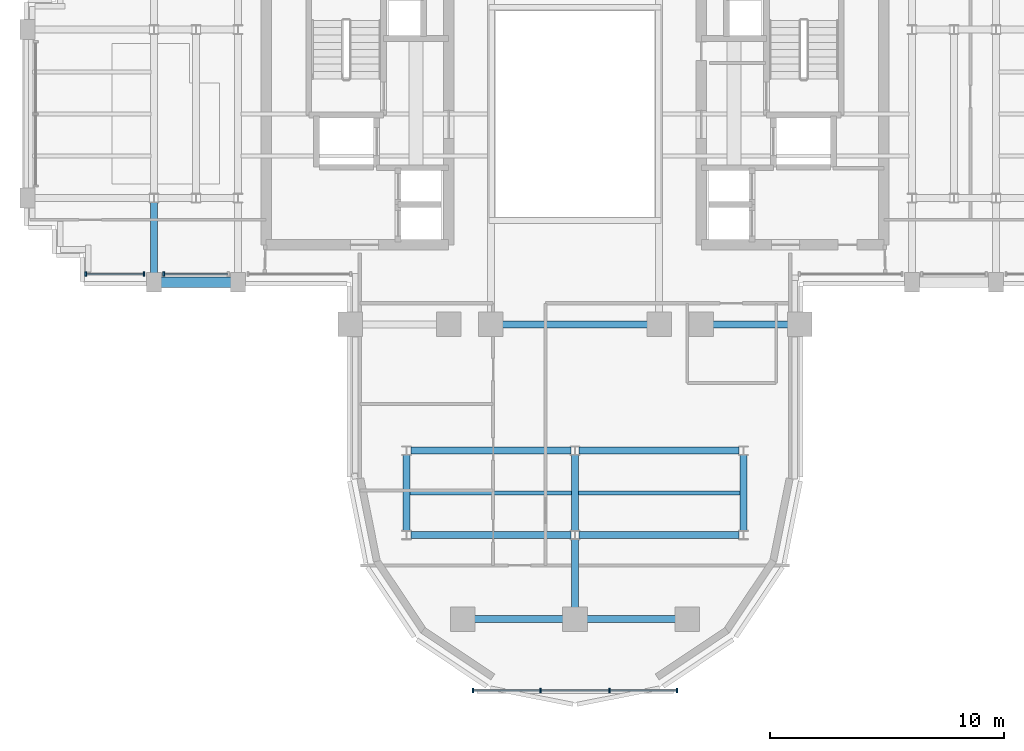
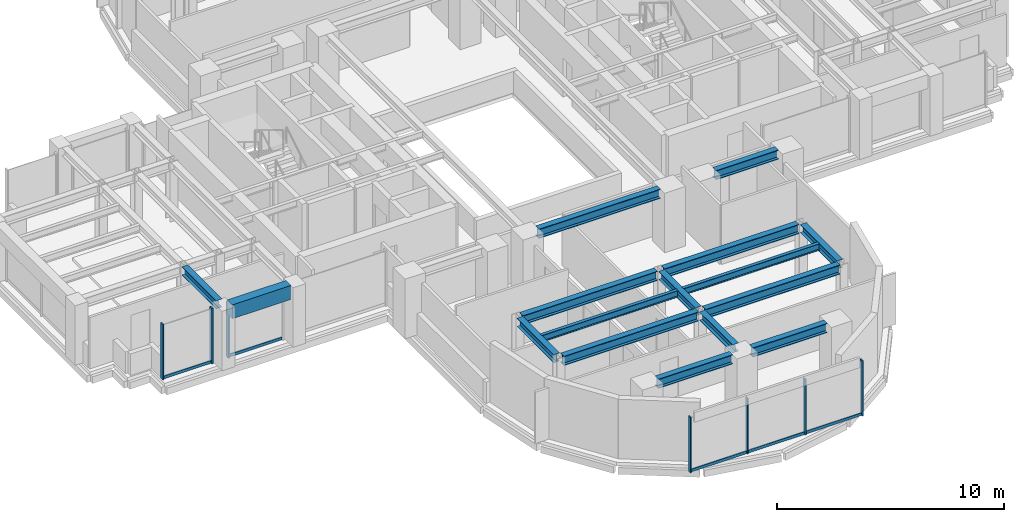
# One storey, part 3 of 13: 16 beams, 12 members, 3 elements without a shape of their own.
"""IFC4 building model written with IfcOpenShell, lengths in metres."""

from ifc_helpers import new_model, si_unit, direction, frame, origin, origin_2d, place, context, subcontext, project, spatial, rectangle, i_section, extrude, source, transform, mapped, material, material_profile, profile_set, type_object, element, aggregate, save


model = new_model("IFC4")

# Units and contexts
model_context = context("Model", 3, precision=1e-05, world=origin(), true_north=direction((0.0, 1.0)))
body_context = subcontext(model_context, "Body", "Model", "MODEL_VIEW")
ifc_project = project(units=[si_unit("LENGTHUNIT", "METRE"), si_unit("AREAUNIT", "SQUARE_METRE"), si_unit("VOLUMEUNIT", "CUBIC_METRE"), si_unit("PLANEANGLEUNIT", "RADIAN"), si_unit("MASSUNIT", "GRAM", prefix="KILO")], contexts=[model_context])

# Site, building, storey
site_placement = place(None, origin())
site = spatial("IfcSite", under=ifc_project, at=site_placement, CompositionType="ELEMENT")
building_placement = place(site_placement, origin())
building = spatial("IfcBuilding", under=site, at=building_placement, Name="Keilestroom Media Tower", CompositionType="ELEMENT")
storey_placement = place(building_placement, frame((0.0, 0.0, 131.199951171875)))
storey = spatial("IfcBuildingStorey", under=building, at=storey_placement, Name="L35", CompositionType="ELEMENT", Elevation=131.199951171875)

# Beams
ifc_material_1 = material(Name="Steel S355", Category="steel")
ifc_material_profile_1 = material_profile(ifc_material_1, i_section(OverallWidth=0.169921875, OverallDepth=0.360107421875, WebThickness=0.008056640625, FlangeThickness=0.0126953125, at=origin_2d()), Name="IPE 360")
ifc_profile_set_1 = profile_set([ifc_material_profile_1], Name="Steel S355")
beam_type_1 = type_object("IfcBeamType", Name="Secondary-Floor-Joist-IPE-360", PredefinedType="JOIST", material=ifc_profile_set_1)
shared_shape_1 = source(origin(), body_context, "Body", "SweptSolid", [
    extrude(i_section(OverallWidth=0.169921875, OverallDepth=0.360107421875, WebThickness=0.008056640625, FlangeThickness=0.0126953125, at=origin_2d()), origin(), (0.0, 0.0, 1.0), 6.940185546875),
])
for number, where, z_axis, x_axis, name in (
    (1, (-7.070068359375, -16.199951171875, 3.02001953125), (1.0, 0.0, 0.0), (0.0, 1.0, 0.0), "L35 Beam BJ-5 JST-L35-069"),
    (2, (0.1298828125, -16.199951171875, 3.02001953125), (1.0, 0.0, 0.0), (0.0, 1.0, 0.0), "L35 Beam BJ-5 JST-L35-070"),
):
    element("IfcBeam", number, at=place(storey_placement, frame(where, z_axis=z_axis, x_axis=x_axis)), inside=storey, type_object=beam_type_1, Name=name, PredefinedType="JOIST", context=body_context, shape_type="MappedRepresentation", body=[
        mapped(shared_shape_1, transform((0.0, 0.0, 0.0), x_axis=(1.0, 0.0, 0.0), y_axis=(0.0, 1.0, 0.0), z_axis=(0.0, 0.0, 1.0), scale=1.0)),
    ])
ifc_material_profile_2 = material_profile(ifc_material_1, i_section(OverallWidth=0.300048828125, OverallDepth=0.5, WebThickness=0.012451171875, FlangeThickness=0.028076171875, at=origin_2d()), Name="HEB 500")
ifc_profile_set_2 = profile_set([ifc_material_profile_2], Name="Steel S355")
beam_type_2 = type_object("IfcBeamType", Name="Primary-Structural-Girder-HEB-500", PredefinedType="BEAM", material=ifc_profile_set_2)
shared_shape_2 = source(origin(), body_context, "Body", "SweptSolid", [
    extrude(i_section(OverallWidth=0.300048828125, OverallDepth=0.5, WebThickness=0.012451171875, FlangeThickness=0.028076171875, at=origin_2d()), origin(), (0.0, 0.0, 1.0), 3.7900390625),
])
for number, where, z_axis, x_axis, name in (
    (3, (-4.294921875, -21.60009765625, 2.949951171875), (1.0, 0.0, 0.0), (0.0, 1.0, 0.0), "L35 Beam BG-6 BM-L35-EW-001"),
    (4, (0.5048828125, -21.60009765625, 2.949951171875), (1.0, 0.0, 0.0), (0.0, 1.0, 0.0), "L35 Beam BG-6 BM-L35-EW-002"),
):
    element("IfcBeam", number, at=place(storey_placement, frame(where, z_axis=z_axis, x_axis=x_axis)), inside=storey, type_object=beam_type_2, Name=name, PredefinedType="BEAM", context=body_context, shape_type="MappedRepresentation", body=[
        mapped(shared_shape_2, transform((0.0, 0.0, 0.0), x_axis=(1.0, 0.0, 0.0), y_axis=(0.0, 1.0, 0.0), z_axis=(0.0, 0.0, 1.0), scale=1.0)),
    ])
shared_shape_3 = source(origin(), body_context, "Body", "SweptSolid", [
    extrude(i_section(OverallWidth=0.300048828125, OverallDepth=0.5, WebThickness=0.012451171875, FlangeThickness=0.028076171875, at=origin_2d()), origin(), (0.0, 0.0, 1.0), 6.839111328125),
])
for number, where, z_axis, x_axis, name in (
    (5, (-7.01953125, -18.0, 2.949951171875), (1.0, 0.0, 0.0), (0.0, 1.0, 0.0), "L35 Beam BG-6 BM-L35-EW-003"),
    (6, (0.180419921875, -18.0, 2.949951171875), (1.0, 0.0, 0.0), (0.0, 1.0, 0.0), "L35 Beam BG-6 BM-L35-EW-004"),
    (7, (-7.01953125, -14.39990234375, 2.949951171875), (1.0, 0.0, 0.0), (0.0, 1.0, 0.0), "L35 Beam BG-6 BM-L35-EW-005"),
    (8, (0.180419921875, -14.39990234375, 2.949951171875), (1.0, 0.0, 0.0), (0.0, 1.0, 0.0), "L35 Beam BG-6 BM-L35-EW-006"),
):
    element("IfcBeam", number, at=place(storey_placement, frame(where, z_axis=z_axis, x_axis=x_axis)), inside=storey, type_object=beam_type_2, Name=name, PredefinedType="BEAM", context=body_context, shape_type="MappedRepresentation", body=[
        mapped(shared_shape_3, transform((0.0, 0.0, 0.0), x_axis=(1.0, 0.0, 0.0), y_axis=(0.0, 1.0, 0.0), z_axis=(0.0, 0.0, 1.0), scale=1.0)),
    ])
shared_shape_4 = source(origin(), body_context, "Body", "SweptSolid", [
    extrude(i_section(OverallWidth=0.300048828125, OverallDepth=0.5, WebThickness=0.012451171875, FlangeThickness=0.028076171875, at=origin_2d()), origin(), (0.0, 0.0, 1.0), 3.18994140625),
])
beam_1_placement = place(storey_placement, frame((5.905029296875, -9.0, 2.949951171875), z_axis=(1.0, 0.0, 0.0), x_axis=(0.0, 1.0, 0.0)))
element("IfcBeam", 9, at=beam_1_placement, inside=storey, type_object=beam_type_2, Name="L35 Beam BG-6 BM-L35-EW-011", PredefinedType="BEAM", context=body_context, shape_type="MappedRepresentation", body=[
    mapped(shared_shape_4, transform((0.0, 0.0, 0.0), x_axis=(1.0, 0.0, 0.0), y_axis=(0.0, 1.0, 0.0), z_axis=(0.0, 0.0, 1.0), scale=1.0)),
])
shared_shape_5 = source(origin(), body_context, "Body", "SweptSolid", [
    extrude(i_section(OverallWidth=0.300048828125, OverallDepth=0.5, WebThickness=0.012451171875, FlangeThickness=0.028076171875, at=origin_2d()), origin(), (0.0, 0.0, 1.0), 6.18994140625),
])
beam_2_placement = place(storey_placement, frame((-3.094970703125, -9.0, 2.949951171875), z_axis=(1.0, 0.0, 0.0), x_axis=(0.0, 1.0, 0.0)))
element("IfcBeam", 10, at=beam_2_placement, inside=storey, type_object=beam_type_2, Name="L35 Beam BG-6 BM-L35-EW-009", PredefinedType="BEAM", context=body_context, shape_type="MappedRepresentation", body=[
    mapped(shared_shape_5, transform((0.0, 0.0, 0.0), x_axis=(1.0, 0.0, 0.0), y_axis=(0.0, 1.0, 0.0), z_axis=(0.0, 0.0, 1.0), scale=1.0)),
])
ifc_material_2 = material(Name="Precast concrete C40/50", Category="concrete")
ifc_material_profile_3 = material_profile(ifc_material_2, rectangle(XDim=0.449951171875, YDim=0.75, at=origin_2d()), Name="PC 450x750")
ifc_profile_set_3 = profile_set([ifc_material_profile_3], Name="Precast concrete C40/50")
beam_type_3 = type_object("IfcBeamType", Name="Perimeter-Spandrel-Beam-PC-450x750", PredefinedType="SPANDREL", material=ifc_profile_set_3)
shared_shape_6 = source(origin(), body_context, "Body", "SweptSolid", [
    extrude(rectangle(XDim=0.449951171875, YDim=0.75, at=origin_2d()), origin(), (0.0, 0.0, 1.0), 2.989990234375),
])
beam_3_placement = place(storey_placement, frame((-17.695068359375, -7.199951171875, 2.824951171875), z_axis=(1.0, 0.0, 0.0), x_axis=(0.0, 1.0, 0.0)))
element("IfcBeam", 11, at=beam_3_placement, inside=storey, type_object=beam_type_3, Name="L35 Beam SPB-1 BM-L35-EW-012", PredefinedType="SPANDREL", context=body_context, shape_type="MappedRepresentation", body=[
    mapped(shared_shape_6, transform((0.0, 0.0, 0.0), x_axis=(1.0, 0.0, 0.0), y_axis=(0.0, 1.0, 0.0), z_axis=(0.0, 0.0, 1.0), scale=1.0)),
])
ifc_material_profile_4 = material_profile(ifc_material_1, i_section(OverallWidth=0.300048828125, OverallDepth=0.43994140625, WebThickness=0.011474609375, FlangeThickness=0.02099609375, at=origin_2d()), Name="HEA 450")
ifc_profile_set_4 = profile_set([ifc_material_profile_4], Name="Steel S355")
beam_type_4 = type_object("IfcBeamType", Name="Primary-Structural-Girder-HEA-450", PredefinedType="BEAM", material=ifc_profile_set_4)
shared_shape_7 = source(origin(), body_context, "Body", "SweptSolid", [
    extrude(i_section(OverallWidth=0.300048828125, OverallDepth=0.43994140625, WebThickness=0.011474609375, FlangeThickness=0.02099609375, at=origin_2d()), origin(), (0.0, 0.0, 1.0), 3.015380859375),
])
beam_4_placement = place(storey_placement, frame((-18.0, -6.794921875, 2.97998046875), z_axis=(0.0, 1.0, 0.0), x_axis=(-1.0, 0.0, 0.0)))
element("IfcBeam", 12, at=beam_4_placement, inside=storey, type_object=beam_type_4, Name="L35 Beam BG-11 BM-L35-NS-040", PredefinedType="BEAM", context=body_context, shape_type="MappedRepresentation", body=[
    mapped(shared_shape_7, transform((0.0, 0.0, 0.0), x_axis=(1.0, 0.0, 0.0), y_axis=(0.0, 1.0, 0.0), z_axis=(0.0, 0.0, 1.0), scale=1.0)),
])
shared_shape_8 = source(origin(), body_context, "Body", "SweptSolid", [
    extrude(i_section(OverallWidth=0.300048828125, OverallDepth=0.43994140625, WebThickness=0.011474609375, FlangeThickness=0.02099609375, at=origin_2d()), origin(), (0.0, 0.0, 1.0), 3.240966796875),
])
for number, where, z_axis, x_axis, name in (
    (13, (-7.199951171875, -17.820556640625, 2.97998046875), (0.0, 1.0, 0.0), (-1.0, 0.0, 0.0), "L35 Beam BG-11 BM-L35-NS-048"),
    (14, (0.0, -17.820556640625, 2.97998046875), (0.0, 1.0, 0.0), (-1.0, 0.0, 0.0), "L35 Beam BG-11 BM-L35-NS-053"),
    (15, (7.199951171875, -17.820556640625, 2.97998046875), (0.0, 1.0, 0.0), (-1.0, 0.0, 0.0), "L35 Beam BG-11 BM-L35-NS-058"),
):
    element("IfcBeam", number, at=place(storey_placement, frame(where, z_axis=z_axis, x_axis=x_axis)), inside=storey, type_object=beam_type_4, Name=name, PredefinedType="BEAM", context=body_context, shape_type="MappedRepresentation", body=[
        mapped(shared_shape_8, transform((0.0, 0.0, 0.0), x_axis=(1.0, 0.0, 0.0), y_axis=(0.0, 1.0, 0.0), z_axis=(0.0, 0.0, 1.0), scale=1.0)),
    ])
shared_shape_9 = source(origin(), body_context, "Body", "SweptSolid", [
    extrude(i_section(OverallWidth=0.300048828125, OverallDepth=0.43994140625, WebThickness=0.011474609375, FlangeThickness=0.02099609375, at=origin_2d()), origin(), (0.0, 0.0, 1.0), 2.91552734375),
])
beam_5_placement = place(storey_placement, frame((0.0, -21.094970703125, 2.97998046875), z_axis=(0.0, 1.0, 0.0), x_axis=(-1.0, 0.0, 0.0)))
element("IfcBeam", 16, at=beam_5_placement, inside=storey, type_object=beam_type_4, Name="L35 Beam BG-11 BM-L35-NS-052", PredefinedType="BEAM", context=body_context, shape_type="MappedRepresentation", body=[
    mapped(shared_shape_9, transform((0.0, 0.0, 0.0), x_axis=(1.0, 0.0, 0.0), y_axis=(0.0, 1.0, 0.0), z_axis=(0.0, 0.0, 1.0), scale=1.0)),
])

# Curtain wall, members
ifc_material_3 = material(Name="Anodised Aluminium Alloy", Category="aluminium")
curtain_wall_type_1 = type_object("IfcCurtainWallType", Name="Unitised-Curtain-Wall-CW-6", PredefinedType="NOTDEFINED", material=ifc_material_3)
curtain_wall_1_placement = place(storey_placement, origin())
curtain_wall_1 = element("IfcCurtainWall", 17, at=curtain_wall_1_placement, inside=storey, type_object=curtain_wall_type_1, Name="L35 Curtain Wall CW-6 CW-L35-LS-1", PredefinedType="NOTDEFINED")
ifc_material_profile_5 = material_profile(ifc_material_3, rectangle(XDim=0.06494140625, YDim=0.179931640625, at=origin_2d()), Name="ALU MULLION 65x180")
ifc_profile_set_5 = profile_set([ifc_material_profile_5], Name="Anodised Aluminium Alloy")
member_type_1 = type_object("IfcMemberType", Name="Curtain-Wall-Mullion-CW-6", PredefinedType="MULLION", material=ifc_profile_set_5)
shared_shape_10 = source(origin(), body_context, "Body", "SweptSolid", [
    extrude(rectangle(XDim=0.06494140625, YDim=0.179931640625, at=origin_2d()), origin(), (0.0, 0.0, 1.0), 2.97998046875),
])
member_1_placement = place(storey_placement, frame((-4.367431640625, -24.64990234375, 0.0), z_axis=(0.0, 0.0, 1.0), x_axis=(1.0, 0.0, 0.0)))
member_1 = element("IfcMember", 18, at=member_1_placement, type_object=member_type_1, Name="CW-6 Mullion 00", PredefinedType="MULLION", context=body_context, shape_type="MappedRepresentation", body=[
    mapped(shared_shape_10, transform((0.0, 0.0, 0.0), x_axis=(1.0, 0.0, 0.0), y_axis=(0.0, 1.0, 0.0), z_axis=(0.0, 0.0, 1.0), scale=1.0)),
])
member_2_placement = place(storey_placement, frame((-1.466796875, -24.64990234375, 0.0), z_axis=(0.0, 0.0, 1.0), x_axis=(1.0, 0.0, 0.0)))
member_2 = element("IfcMember", 19, at=member_2_placement, type_object=member_type_1, Name="CW-6 Mullion 01", PredefinedType="MULLION", context=body_context, shape_type="MappedRepresentation", body=[
    mapped(shared_shape_10, transform((0.0, 0.0, 0.0), x_axis=(1.0, 0.0, 0.0), y_axis=(0.0, 1.0, 0.0), z_axis=(0.0, 0.0, 1.0), scale=1.0)),
])
member_3_placement = place(storey_placement, frame((1.466796875, -24.64990234375, 0.0), z_axis=(0.0, 0.0, 1.0), x_axis=(1.0, 0.0, 0.0)))
member_3 = element("IfcMember", 20, at=member_3_placement, type_object=member_type_1, Name="CW-6 Mullion 02", PredefinedType="MULLION", context=body_context, shape_type="MappedRepresentation", body=[
    mapped(shared_shape_10, transform((0.0, 0.0, 0.0), x_axis=(1.0, 0.0, 0.0), y_axis=(0.0, 1.0, 0.0), z_axis=(0.0, 0.0, 1.0), scale=1.0)),
])
member_4_placement = place(storey_placement, frame((4.367431640625, -24.64990234375, 0.0), z_axis=(0.0, 0.0, 1.0), x_axis=(1.0, 0.0, 0.0)))
member_4 = element("IfcMember", 21, at=member_4_placement, type_object=member_type_1, Name="CW-6 Mullion 03", PredefinedType="MULLION", context=body_context, shape_type="MappedRepresentation", body=[
    mapped(shared_shape_10, transform((0.0, 0.0, 0.0), x_axis=(1.0, 0.0, 0.0), y_axis=(0.0, 1.0, 0.0), z_axis=(0.0, 0.0, 1.0), scale=1.0)),
])
ifc_material_profile_6 = material_profile(ifc_material_3, rectangle(XDim=0.06494140625, YDim=0.14990234375, at=origin_2d()), Name="ALU TRANSOM 65x150")
ifc_profile_set_6 = profile_set([ifc_material_profile_6], Name="Anodised Aluminium Alloy")
member_type_2 = type_object("IfcMemberType", Name="Curtain-Wall-Transom-CW-6", PredefinedType="USERDEFINED", material=ifc_profile_set_6)
shared_shape_11 = source(origin(), body_context, "Body", "SweptSolid", [
    extrude(rectangle(XDim=0.06494140625, YDim=0.14990234375, at=origin_2d()), origin(), (0.0, 0.0, 1.0), 2.839599609375),
])
member_5_placement = place(storey_placement, frame((-4.3369140625, -24.64990234375, 0.074951171875), z_axis=(1.0, 0.0, 0.0), x_axis=(0.0, 1.0, 0.0)))
member_5 = element("IfcMember", 22, at=member_5_placement, type_object=member_type_2, Name="CW-6 Transom 00.1", ObjectType="TRANSOM", PredefinedType="USERDEFINED", context=body_context, shape_type="MappedRepresentation", body=[
    mapped(shared_shape_11, transform((0.0, 0.0, 0.0), x_axis=(1.0, 0.0, 0.0), y_axis=(0.0, 1.0, 0.0), z_axis=(0.0, 0.0, 1.0), scale=1.0)),
])
member_6_placement = place(storey_placement, frame((1.497314453125, -24.64990234375, 0.074951171875), z_axis=(1.0, 0.0, 0.0), x_axis=(0.0, 1.0, 0.0)))
member_6 = element("IfcMember", 23, at=member_6_placement, type_object=member_type_2, Name="CW-6 Transom 02.1", ObjectType="TRANSOM", PredefinedType="USERDEFINED", context=body_context, shape_type="MappedRepresentation", body=[
    mapped(shared_shape_11, transform((0.0, 0.0, 0.0), x_axis=(1.0, 0.0, 0.0), y_axis=(0.0, 1.0, 0.0), z_axis=(0.0, 0.0, 1.0), scale=1.0)),
])
shared_shape_12 = source(origin(), body_context, "Body", "SweptSolid", [
    extrude(rectangle(XDim=0.06494140625, YDim=0.14990234375, at=origin_2d()), origin(), (0.0, 0.0, 1.0), 2.87255859375),
])
member_7_placement = place(storey_placement, frame((-1.436279296875, -24.64990234375, 0.074951171875), z_axis=(1.0, 0.0, 0.0), x_axis=(0.0, 1.0, 0.0)))
member_7 = element("IfcMember", 24, at=member_7_placement, type_object=member_type_2, Name="CW-6 Transom 01.1", ObjectType="TRANSOM", PredefinedType="USERDEFINED", context=body_context, shape_type="MappedRepresentation", body=[
    mapped(shared_shape_12, transform((0.0, 0.0, 0.0), x_axis=(1.0, 0.0, 0.0), y_axis=(0.0, 1.0, 0.0), z_axis=(0.0, 0.0, 1.0), scale=1.0)),
])
aggregate(curtain_wall_1, [member_1, member_2, member_3, member_4, member_5, member_7, member_6])

curtain_wall_type_2 = type_object("IfcCurtainWallType", Name="Unitised-Curtain-Wall-CW-2", PredefinedType="NOTDEFINED", material=ifc_material_3)
curtain_wall_2_placement = place(storey_placement, origin())
curtain_wall_2 = element("IfcCurtainWall", 25, at=curtain_wall_2_placement, inside=storey, type_object=curtain_wall_type_2, Name="L35 Curtain Wall CW-2 CW-L35-SW-1", PredefinedType="NOTDEFINED")
ifc_material_profile_7 = material_profile(ifc_material_3, rectangle(XDim=0.070068359375, YDim=0.199951171875, at=origin_2d()), Name="ALU MULLION 70x200")
ifc_profile_set_7 = profile_set([ifc_material_profile_7], Name="Anodised Aluminium Alloy")
member_type_3 = type_object("IfcMemberType", Name="Curtain-Wall-Mullion-CW-2", PredefinedType="MULLION", material=ifc_profile_set_7)
shared_shape_13 = source(origin(), body_context, "Body", "SweptSolid", [
    extrude(rectangle(XDim=0.070068359375, YDim=0.199951171875, at=origin_2d()), origin(), (0.0, 0.0, 1.0), 2.97998046875),
])
member_8_placement = place(storey_placement, frame((-20.9150390625, -6.85009765625, 0.0), z_axis=(0.0, 0.0, 1.0), x_axis=(1.0, 0.0, 0.0)))
member_8 = element("IfcMember", 26, at=member_8_placement, type_object=member_type_3, Name="CW-2 Mullion 00", PredefinedType="MULLION", context=body_context, shape_type="MappedRepresentation", body=[
    mapped(shared_shape_13, transform((0.0, 0.0, 0.0), x_axis=(1.0, 0.0, 0.0), y_axis=(0.0, 1.0, 0.0), z_axis=(0.0, 0.0, 1.0), scale=1.0)),
])
member_9_placement = place(storey_placement, frame((-18.419921875, -6.85009765625, 0.0), z_axis=(0.0, 0.0, 1.0), x_axis=(1.0, 0.0, 0.0)))
member_9 = element("IfcMember", 27, at=member_9_placement, type_object=member_type_3, Name="CW-2 Mullion 01", PredefinedType="MULLION", context=body_context, shape_type="MappedRepresentation", body=[
    mapped(shared_shape_13, transform((0.0, 0.0, 0.0), x_axis=(1.0, 0.0, 0.0), y_axis=(0.0, 1.0, 0.0), z_axis=(0.0, 0.0, 1.0), scale=1.0)),
])

# Curtain wall, member
curtain_wall_3_placement = place(storey_placement, origin())
curtain_wall_3 = element("IfcCurtainWall", 28, at=curtain_wall_3_placement, inside=storey, type_object=curtain_wall_type_2, Name="L35 Curtain Wall CW-2 CW-L35-SW-2", PredefinedType="NOTDEFINED")
member_10_placement = place(storey_placement, frame((-17.580078125, -6.85009765625, 0.0), z_axis=(0.0, 0.0, 1.0), x_axis=(1.0, 0.0, 0.0)))
member_10 = element("IfcMember", 29, at=member_10_placement, type_object=member_type_3, Name="CW-2 Mullion 00", PredefinedType="MULLION", context=body_context, shape_type="MappedRepresentation", body=[
    mapped(shared_shape_13, transform((0.0, 0.0, 0.0), x_axis=(1.0, 0.0, 0.0), y_axis=(0.0, 1.0, 0.0), z_axis=(0.0, 0.0, 1.0), scale=1.0)),
])

# Member
ifc_material_profile_8 = material_profile(ifc_material_3, rectangle(XDim=0.06494140625, YDim=0.14990234375, at=origin_2d()), Name="ALU TRANSOM 65x150")
ifc_profile_set_8 = profile_set([ifc_material_profile_8], Name="Anodised Aluminium Alloy")
member_type_4 = type_object("IfcMemberType", Name="Curtain-Wall-Transom-CW-2", PredefinedType="USERDEFINED", material=ifc_profile_set_8)
shared_shape_14 = source(origin(), body_context, "Body", "SweptSolid", [
    extrude(rectangle(XDim=0.06494140625, YDim=0.14990234375, at=origin_2d()), origin(), (0.0, 0.0, 1.0), 2.42919921875),
])
member_11_placement = place(storey_placement, frame((-20.882080078125, -6.85009765625, 0.074951171875), z_axis=(1.0, 0.0, 0.0), x_axis=(0.0, 1.0, 0.0)))
member_11 = element("IfcMember", 30, at=member_11_placement, type_object=member_type_4, Name="CW-2 Transom 00.1", ObjectType="TRANSOM", PredefinedType="USERDEFINED", context=body_context, shape_type="MappedRepresentation", body=[
    mapped(shared_shape_14, transform((0.0, 0.0, 0.0), x_axis=(1.0, 0.0, 0.0), y_axis=(0.0, 1.0, 0.0), z_axis=(0.0, 0.0, 1.0), scale=1.0)),
])

aggregate(curtain_wall_2, [member_8, member_9, member_11])

shared_shape_15 = source(origin(), body_context, "Body", "SweptSolid", [
    extrude(rectangle(XDim=0.06494140625, YDim=0.14990234375, at=origin_2d()), origin(), (0.0, 0.0, 1.0), 2.694091796875),
])
member_12_placement = place(storey_placement, frame((-17.547119140625, -6.85009765625, 0.074951171875), z_axis=(1.0, 0.0, 0.0), x_axis=(0.0, 1.0, 0.0)))
member_12 = element("IfcMember", 31, at=member_12_placement, type_object=member_type_4, Name="CW-2 Transom 00.1", ObjectType="TRANSOM", PredefinedType="USERDEFINED", context=body_context, shape_type="MappedRepresentation", body=[
    mapped(shared_shape_15, transform((0.0, 0.0, 0.0), x_axis=(1.0, 0.0, 0.0), y_axis=(0.0, 1.0, 0.0), z_axis=(0.0, 0.0, 1.0), scale=1.0)),
])

aggregate(curtain_wall_3, [member_10, member_12])

save(model, "model.ifc")
